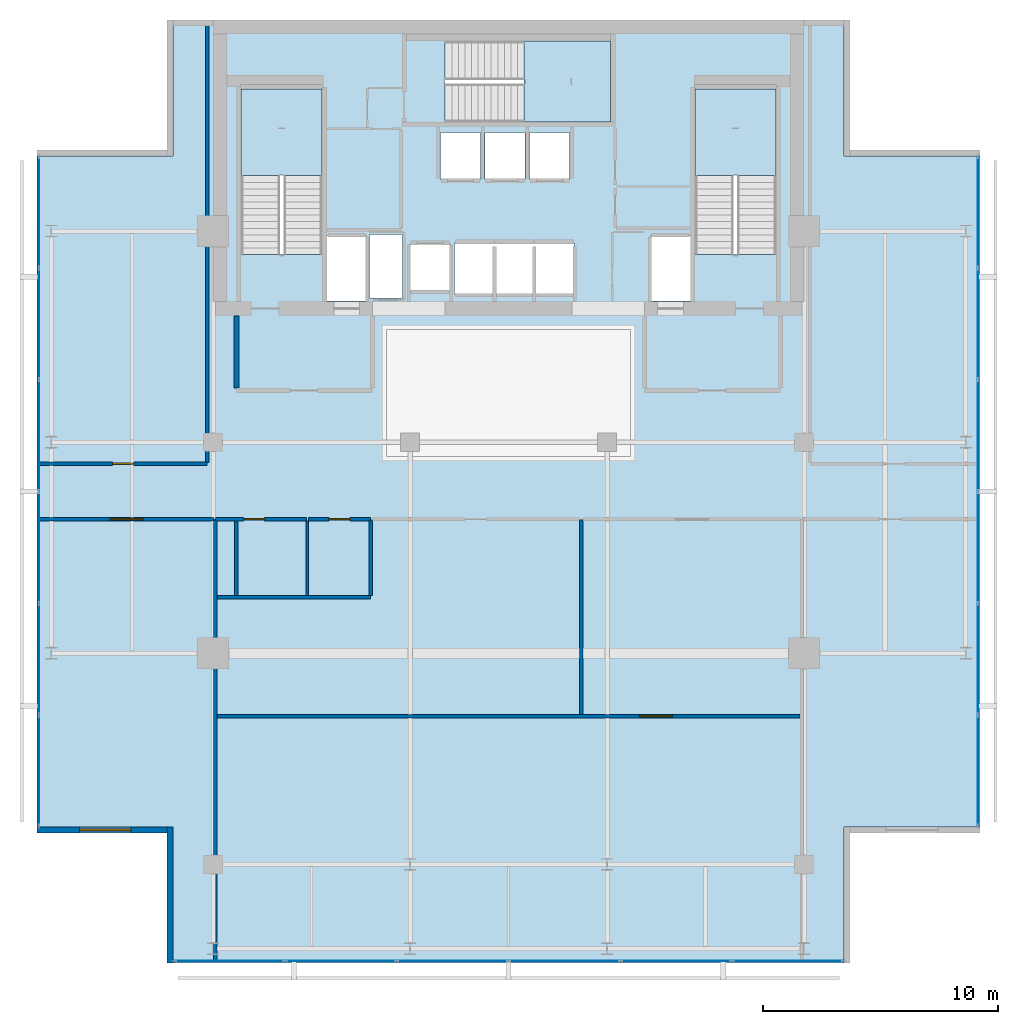
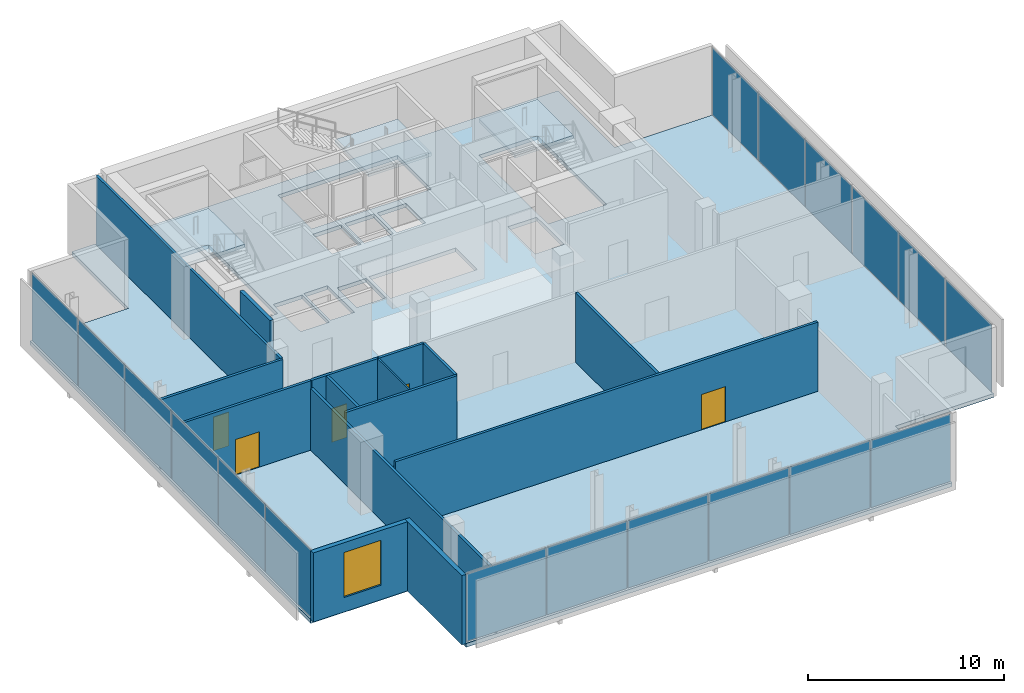
# One storey, part 16 of 23: 18 plates, 15 walls, 5 doors, 4 slabs, 1 window, 6 openings, 6 elements without a shape of their own.
"""IFC4 building model written with IfcOpenShell, lengths in metres."""

from ifc_helpers import new_model, si_unit, direction, frame, frame_2d, origin, origin_2d, place, context, subcontext, project, spatial, polyline, rectangle, outline, extrude, material, layer, layer_set, type_object, element, fill, aggregate, save


model = new_model("IFC4")

# Units and contexts
model_context = context("Model", 3, precision=1e-05, world=origin(), true_north=direction((0.0, 1.0)))
body_context = subcontext(model_context, "Body", "Model", "MODEL_VIEW")
ifc_project = project(units=[si_unit("LENGTHUNIT", "METRE"), si_unit("AREAUNIT", "SQUARE_METRE"), si_unit("VOLUMEUNIT", "CUBIC_METRE"), si_unit("PLANEANGLEUNIT", "RADIAN"), si_unit("MASSUNIT", "GRAM", prefix="KILO")], contexts=[model_context])

# Site, building, storey
site_placement = place(None, origin())
site = spatial("IfcSite", under=ifc_project, at=site_placement, CompositionType="ELEMENT")
building_placement = place(site_placement, origin())
building = spatial("IfcBuilding", under=site, at=building_placement, Name="Maruvema Waterfront Hotel and Observation Tower", CompositionType="ELEMENT")
storey_placement = place(building_placement, frame((0.0, 0.0, 345.10009765625)))
storey = spatial("IfcBuildingStorey", under=building, at=storey_placement, Name="L85", CompositionType="ELEMENT", Elevation=345.10009765625)

# Slab
ifc_material_1 = material(Name="Concrete C50/60", Category="concrete")
ifc_layer_1 = layer(ifc_material_1, 0.239990234375, Name="Reinforced Concrete Floor Slab 240 mm")
ifc_layer_set_1 = layer_set([ifc_layer_1], Name="Concrete C50/60")
slab_type_1 = type_object("IfcSlabType", Name="Reinforced Concrete Floor Slab 240 mm", PredefinedType="FLOOR", material=ifc_layer_set_1)
slab_1_placement = place(storey_placement, frame((0.0, 0.0, -0.239990234375)))
element("IfcSlab", 1, at=slab_1_placement, inside=storey, type_object=slab_type_1, Name="L85 Structural Floor Slab", PredefinedType="FLOOR", context=body_context, shape_type="SweptSolid", body=[
    extrude(outline(polyline([(23.5, 13.800048828125), (52.10009765625, 13.800048828125), (52.10009765625, 19.60009765625), (57.89990234375, 19.60009765625), (57.89990234375, 48.199951171875), (52.10009765625, 48.199951171875), (52.10009765625, 54.0), (23.5, 54.0), (23.5, 48.199951171875), (17.699951171875, 48.199951171875), (17.699951171875, 19.60009765625), (23.5, 19.60009765625), (23.5, 13.800048828125)]), holes=[polyline([(26.39990234375, 44.00048828125), (26.39990234375, 51.050048828125), (29.85009765625, 51.050048828125), (29.85009765625, 44.00048828125), (26.39990234375, 44.00048828125)]), polyline([(30.050048828125, 44.800048828125), (31.75, 44.800048828125), (31.75, 42.02001953125), (30.050048828125, 42.02001953125), (30.050048828125, 44.800048828125)]), polyline([(31.8798828125, 42.139892578125), (31.8798828125, 44.860107421875), (33.280029296875, 44.860107421875), (33.280029296875, 42.139892578125), (31.8798828125, 42.139892578125)]), polyline([(33.60009765625, 44.449951171875), (35.300048828125, 44.449951171875), (35.300048828125, 42.449951171875), (33.60009765625, 42.449951171875), (33.60009765625, 44.449951171875)]), polyline([(34.89990234375, 49.199951171875), (36.60009765625, 49.199951171875), (36.60009765625, 47.199951171875), (34.89990234375, 47.199951171875), (34.89990234375, 49.199951171875)]), polyline([(36.800048828125, 47.199951171875), (36.800048828125, 49.199951171875), (38.5, 49.199951171875), (38.5, 47.199951171875), (36.800048828125, 47.199951171875)]), polyline([(35.5, 42.300048828125), (35.5, 44.5), (40.60009765625, 44.5), (40.60009765625, 42.300048828125), (35.5, 42.300048828125)]), polyline([(35.1005859375, 53.10009765625), (42.14990234375, 53.10009765625), (42.14990234375, 49.64990234375), (35.1005859375, 49.64990234375), (35.1005859375, 53.10009765625)]), polyline([(38.699951171875, 49.199951171875), (40.39990234375, 49.199951171875), (40.39990234375, 47.199951171875), (38.699951171875, 47.199951171875), (38.699951171875, 49.199951171875)]), polyline([(43.85009765625, 44.800048828125), (45.550048828125, 44.800048828125), (45.550048828125, 42.02001953125), (43.85009765625, 42.02001953125), (43.85009765625, 44.800048828125)]), polyline([(45.75, 44.00048828125), (45.75, 51.050048828125), (49.199951171875, 51.050048828125), (49.199951171875, 44.00048828125), (45.75, 44.00048828125)])]), origin(), (0.0, 0.0, 1.0), 0.239990234375),
])

# Curtain wall, plates
ifc_material_2 = material(Name="Anodised bronze aluminium and solar-control low-E IGU", Category="aluminium")
ifc_layer_2 = layer(ifc_material_2, 0.159912109375, Name="Observation Crown Structural Glazed Curtain Wall System CW-06")
ifc_layer_set_2 = layer_set([ifc_layer_2], Name="Anodised bronze aluminium and solar-control low-E IGU")
curtain_wall_type = type_object("IfcCurtainWallType", Name="Observation Crown Structural Glazed Curtain Wall System CW-06", PredefinedType="USERDEFINED", material=ifc_layer_set_2)
curtain_wall_1_placement = place(storey_placement, origin())
curtain_wall_1 = element("IfcCurtainWall", 2, at=curtain_wall_1_placement, inside=storey, type_object=curtain_wall_type, Name="L85 Curtain Wall CW-L85-S", ObjectType="UNITISED CURTAIN WALL", PredefinedType="USERDEFINED")
ifc_material_3 = material(Name="Laminated low-E solar-control double glazing", Category="glass")
ifc_layer_3 = layer(ifc_material_3, 0.035888671875, Name="Solar Control Double-Glazed Curtain Panel 36 mm")
ifc_layer_set_3 = layer_set([ifc_layer_3], Name="Laminated low-E solar-control double glazing")
plate_type = type_object("IfcPlateType", Name="Solar Control Double-Glazed Curtain Panel 36 mm", PredefinedType="CURTAIN_PANEL", material=ifc_layer_set_3)
plate_1_placement = place(storey_placement, frame((25.8984375, 13.8798828125, 0.059814453125), z_axis=(0.0, 0.0, 1.0), x_axis=(1.0, 0.0, 0.0)))
plate_1 = element("IfcPlate", 3, at=plate_1_placement, type_object=plate_type, Name="CW-06 panel 1.1", PredefinedType="CURTAIN_PANEL", context=body_context, shape_type="SweptSolid", body=[
    extrude(rectangle(XDim=4.6767578125, YDim=0.028076171875, at=origin_2d()), origin(), (0.0, 0.0, 1.0), 4.18994140625),
])
plate_2_placement = place(storey_placement, frame((30.64990234375, 13.8798828125, 0.059814453125), z_axis=(0.0, 0.0, 1.0), x_axis=(1.0, 0.0, 0.0)))
plate_2 = element("IfcPlate", 4, at=plate_2_placement, type_object=plate_type, Name="CW-06 panel 2.1", PredefinedType="CURTAIN_PANEL", context=body_context, shape_type="SweptSolid", body=[
    extrude(rectangle(XDim=4.706787109375, YDim=0.028076171875, at=origin_2d()), origin(), (0.0, 0.0, 1.0), 4.18994140625),
])
plate_3_placement = place(storey_placement, frame((35.416748046875, 13.8798828125, 0.059814453125), z_axis=(0.0, 0.0, 1.0), x_axis=(1.0, 0.0, 0.0)))
plate_3 = element("IfcPlate", 5, at=plate_3_placement, type_object=plate_type, Name="CW-06 panel 3.1", PredefinedType="CURTAIN_PANEL", context=body_context, shape_type="SweptSolid", body=[
    extrude(rectangle(XDim=4.706787109375, YDim=0.028076171875, at=origin_2d()), origin(), (0.0, 0.0, 1.0), 4.18994140625),
])
plate_4_placement = place(storey_placement, frame((40.183349609375, 13.8798828125, 0.059814453125), z_axis=(0.0, 0.0, 1.0), x_axis=(1.0, 0.0, 0.0)))
plate_4 = element("IfcPlate", 6, at=plate_4_placement, type_object=plate_type, Name="CW-06 panel 4.1", PredefinedType="CURTAIN_PANEL", context=body_context, shape_type="SweptSolid", body=[
    extrude(rectangle(XDim=4.706787109375, YDim=0.028076171875, at=origin_2d()), origin(), (0.0, 0.0, 1.0), 4.18994140625),
])
plate_5_placement = place(storey_placement, frame((44.949951171875, 13.8798828125, 0.059814453125), z_axis=(0.0, 0.0, 1.0), x_axis=(1.0, 0.0, 0.0)))
plate_5 = element("IfcPlate", 7, at=plate_5_placement, type_object=plate_type, Name="CW-06 panel 5.1", PredefinedType="CURTAIN_PANEL", context=body_context, shape_type="SweptSolid", body=[
    extrude(rectangle(XDim=4.706787109375, YDim=0.028076171875, at=origin_2d()), origin(), (0.0, 0.0, 1.0), 4.18994140625),
])
plate_6_placement = place(storey_placement, frame((49.70166015625, 13.8798828125, 0.059814453125), z_axis=(0.0, 0.0, 1.0), x_axis=(1.0, 0.0, 0.0)))
plate_6 = element("IfcPlate", 8, at=plate_6_placement, type_object=plate_type, Name="CW-06 panel 6.1", PredefinedType="CURTAIN_PANEL", context=body_context, shape_type="SweptSolid", body=[
    extrude(rectangle(XDim=4.6767578125, YDim=0.028076171875, at=origin_2d()), origin(), (0.0, 0.0, 1.0), 4.18994140625),
])
aggregate(curtain_wall_1, [plate_1, plate_2, plate_3, plate_4, plate_5, plate_6])

curtain_wall_2_placement = place(storey_placement, origin())
curtain_wall_2 = element("IfcCurtainWall", 9, at=curtain_wall_2_placement, inside=storey, type_object=curtain_wall_type, Name="L85 Curtain Wall CW-L85-E", ObjectType="UNITISED CURTAIN WALL", PredefinedType="USERDEFINED")
plate_7_placement = place(storey_placement, frame((57.820068359375, 21.998291015625, 0.059814453125), z_axis=(0.0, 0.0, 1.0), x_axis=(0.0, 1.0, 0.0)))
plate_7 = element("IfcPlate", 10, at=plate_7_placement, type_object=plate_type, Name="CW-06 panel 1.1", PredefinedType="CURTAIN_PANEL", context=body_context, shape_type="SweptSolid", body=[
    extrude(rectangle(XDim=4.6767578125, YDim=0.028076171875, at=origin_2d()), origin(), (0.0, 0.0, 1.0), 4.18994140625),
])
plate_8_placement = place(storey_placement, frame((57.820068359375, 26.75, 0.059814453125), z_axis=(0.0, 0.0, 1.0), x_axis=(0.0, 1.0, 0.0)))
plate_8 = element("IfcPlate", 11, at=plate_8_placement, type_object=plate_type, Name="CW-06 panel 2.1", PredefinedType="CURTAIN_PANEL", context=body_context, shape_type="SweptSolid", body=[
    extrude(rectangle(XDim=4.706787109375, YDim=0.028076171875, at=origin_2d()), origin(), (0.0, 0.0, 1.0), 4.18994140625),
])
plate_9_placement = place(storey_placement, frame((57.820068359375, 31.5166015625, 0.059814453125), z_axis=(0.0, 0.0, 1.0), x_axis=(0.0, 1.0, 0.0)))
plate_9 = element("IfcPlate", 12, at=plate_9_placement, type_object=plate_type, Name="CW-06 panel 3.1", PredefinedType="CURTAIN_PANEL", context=body_context, shape_type="SweptSolid", body=[
    extrude(rectangle(XDim=4.706787109375, YDim=0.028076171875, at=origin_2d()), origin(), (0.0, 0.0, 1.0), 4.18994140625),
])
plate_10_placement = place(storey_placement, frame((57.820068359375, 36.283447265625, 0.059814453125), z_axis=(0.0, 0.0, 1.0), x_axis=(0.0, 1.0, 0.0)))
plate_10 = element("IfcPlate", 13, at=plate_10_placement, type_object=plate_type, Name="CW-06 panel 4.1", PredefinedType="CURTAIN_PANEL", context=body_context, shape_type="SweptSolid", body=[
    extrude(rectangle(XDim=4.706787109375, YDim=0.028076171875, at=origin_2d()), origin(), (0.0, 0.0, 1.0), 4.18994140625),
])
plate_11_placement = place(storey_placement, frame((57.820068359375, 41.050048828125, 0.059814453125), z_axis=(0.0, 0.0, 1.0), x_axis=(0.0, 1.0, 0.0)))
plate_11 = element("IfcPlate", 14, at=plate_11_placement, type_object=plate_type, Name="CW-06 panel 5.1", PredefinedType="CURTAIN_PANEL", context=body_context, shape_type="SweptSolid", body=[
    extrude(rectangle(XDim=4.706787109375, YDim=0.028076171875, at=origin_2d()), origin(), (0.0, 0.0, 1.0), 4.18994140625),
])
plate_12_placement = place(storey_placement, frame((57.820068359375, 45.8017578125, 0.059814453125), z_axis=(0.0, 0.0, 1.0), x_axis=(0.0, 1.0, 0.0)))
plate_12 = element("IfcPlate", 15, at=plate_12_placement, type_object=plate_type, Name="CW-06 panel 6.1", PredefinedType="CURTAIN_PANEL", context=body_context, shape_type="SweptSolid", body=[
    extrude(rectangle(XDim=4.6767578125, YDim=0.028076171875, at=origin_2d()), origin(), (0.0, 0.0, 1.0), 4.18994140625),
])
aggregate(curtain_wall_2, [plate_7, plate_8, plate_9, plate_10, plate_11, plate_12])

curtain_wall_3_placement = place(storey_placement, origin())
curtain_wall_3 = element("IfcCurtainWall", 16, at=curtain_wall_3_placement, inside=storey, type_object=curtain_wall_type, Name="L85 Curtain Wall CW-L85-W", ObjectType="UNITISED CURTAIN WALL", PredefinedType="USERDEFINED")
plate_13_placement = place(storey_placement, frame((17.780029296875, 45.8017578125, 0.059814453125), z_axis=(0.0, 0.0, 1.0), x_axis=(0.0, -1.0, 0.0)))
plate_13 = element("IfcPlate", 17, at=plate_13_placement, type_object=plate_type, Name="CW-06 panel 1.1", PredefinedType="CURTAIN_PANEL", context=body_context, shape_type="SweptSolid", body=[
    extrude(rectangle(XDim=4.6767578125, YDim=0.028076171875, at=origin_2d()), origin(), (0.0, 0.0, 1.0), 4.18994140625),
])
plate_14_placement = place(storey_placement, frame((17.780029296875, 41.050048828125, 0.059814453125), z_axis=(0.0, 0.0, 1.0), x_axis=(0.0, -1.0, 0.0)))
plate_14 = element("IfcPlate", 18, at=plate_14_placement, type_object=plate_type, Name="CW-06 panel 2.1", PredefinedType="CURTAIN_PANEL", context=body_context, shape_type="SweptSolid", body=[
    extrude(rectangle(XDim=4.706787109375, YDim=0.028076171875, at=origin_2d()), origin(), (0.0, 0.0, 1.0), 4.18994140625),
])
plate_15_placement = place(storey_placement, frame((17.780029296875, 36.283447265625, 0.059814453125), z_axis=(0.0, 0.0, 1.0), x_axis=(0.0, -1.0, 0.0)))
plate_15 = element("IfcPlate", 19, at=plate_15_placement, type_object=plate_type, Name="CW-06 panel 3.1", PredefinedType="CURTAIN_PANEL", context=body_context, shape_type="SweptSolid", body=[
    extrude(rectangle(XDim=4.706787109375, YDim=0.028076171875, at=origin_2d()), origin(), (0.0, 0.0, 1.0), 4.18994140625),
])
plate_16_placement = place(storey_placement, frame((17.780029296875, 31.5166015625, 0.059814453125), z_axis=(0.0, 0.0, 1.0), x_axis=(0.0, -1.0, 0.0)))
plate_16 = element("IfcPlate", 20, at=plate_16_placement, type_object=plate_type, Name="CW-06 panel 4.1", PredefinedType="CURTAIN_PANEL", context=body_context, shape_type="SweptSolid", body=[
    extrude(rectangle(XDim=4.706787109375, YDim=0.028076171875, at=origin_2d()), origin(), (0.0, 0.0, 1.0), 4.18994140625),
])
plate_17_placement = place(storey_placement, frame((17.780029296875, 26.75, 0.059814453125), z_axis=(0.0, 0.0, 1.0), x_axis=(0.0, -1.0, 0.0)))
plate_17 = element("IfcPlate", 21, at=plate_17_placement, type_object=plate_type, Name="CW-06 panel 5.1", PredefinedType="CURTAIN_PANEL", context=body_context, shape_type="SweptSolid", body=[
    extrude(rectangle(XDim=4.706787109375, YDim=0.028076171875, at=origin_2d()), origin(), (0.0, 0.0, 1.0), 4.18994140625),
])
plate_18_placement = place(storey_placement, frame((17.780029296875, 21.998291015625, 0.059814453125), z_axis=(0.0, 0.0, 1.0), x_axis=(0.0, -1.0, 0.0)))
plate_18 = element("IfcPlate", 22, at=plate_18_placement, type_object=plate_type, Name="CW-06 panel 6.1", PredefinedType="CURTAIN_PANEL", context=body_context, shape_type="SweptSolid", body=[
    extrude(rectangle(XDim=4.6767578125, YDim=0.028076171875, at=origin_2d()), origin(), (0.0, 0.0, 1.0), 4.18994140625),
])
aggregate(curtain_wall_3, [plate_13, plate_14, plate_15, plate_16, plate_17, plate_18])

# Stair, slab
ifc_material_4 = material(Name="Concrete C50/60", Category="concrete")
stair_type = type_object("IfcStairType", Name="Dogleg Exit Stair 1650 mm (26R x 175.0 mm)", PredefinedType="HALF_TURN_STAIR", material=ifc_material_4)
stair_1_placement = place(storey_placement, origin())
stair_1 = element("IfcStair", 23, at=stair_1_placement, inside=storey, type_object=stair_type, Name="L85 ST-01", PredefinedType="HALF_TURN_STAIR")
ifc_material_5 = material(Name="Concrete C50/60", Category="concrete")
ifc_layer_4 = layer(ifc_material_5, 0.219970703125, Name="Stair Concrete Landing Slab 220 mm")
ifc_layer_set_4 = layer_set([ifc_layer_4], Name="Concrete C50/60")
slab_type_2 = type_object("IfcSlabType", Name="Stair Concrete Landing Slab 220 mm", PredefinedType="LANDING", material=ifc_layer_set_4)
slab_2_placement = place(storey_placement, frame((0.0, 0.0, 2.054931640625)))
slab_2 = element("IfcSlab", 24, at=slab_2_placement, type_object=slab_type_2, Name="ST-01 landing 1", PredefinedType="LANDING", context=body_context, shape_type="SweptSolid", body=[
    extrude(outline(polyline([(29.85009765625, 47.360107421875), (29.85009765625, 51.050048828125), (26.39990234375, 51.050048828125), (26.39990234375, 47.360107421875), (29.85009765625, 47.360107421875)])), origin(), (0.0, 0.0, 1.0), 0.219970703125),
])
aggregate(stair_1, [slab_2])

stair_2_placement = place(storey_placement, origin())
stair_2 = element("IfcStair", 25, at=stair_2_placement, inside=storey, type_object=stair_type, Name="L85 ST-02", PredefinedType="HALF_TURN_STAIR")
slab_3_placement = place(storey_placement, frame((0.0, 0.0, 2.054931640625)))
slab_3 = element("IfcSlab", 26, at=slab_3_placement, type_object=slab_type_2, Name="ST-02 landing 1", PredefinedType="LANDING", context=body_context, shape_type="SweptSolid", body=[
    extrude(outline(polyline([(38.4599609375, 49.64990234375), (42.14990234375, 49.64990234375), (42.14990234375, 53.10009765625), (38.4599609375, 53.10009765625), (38.4599609375, 49.64990234375)])), origin(), (0.0, 0.0, 1.0), 0.219970703125),
])
aggregate(stair_2, [slab_3])

stair_3_placement = place(storey_placement, origin())
stair_3 = element("IfcStair", 27, at=stair_3_placement, inside=storey, type_object=stair_type, Name="L85 ST-03", PredefinedType="HALF_TURN_STAIR")
slab_4_placement = place(storey_placement, frame((0.0, 0.0, 2.054931640625)))
slab_4 = element("IfcSlab", 28, at=slab_4_placement, type_object=slab_type_2, Name="ST-03 landing 1", PredefinedType="LANDING", context=body_context, shape_type="SweptSolid", body=[
    extrude(outline(polyline([(49.199951171875, 47.360107421875), (49.199951171875, 51.050048828125), (45.75, 51.050048828125), (45.75, 47.360107421875), (49.199951171875, 47.360107421875)])), origin(), (0.0, 0.0, 1.0), 0.219970703125),
])
aggregate(stair_3, [slab_4])

# Wall, opening, door
ifc_material_6 = material(Name="Twin-stud acoustic gypsum drywall", Category="gypsum")
ifc_layer_5 = layer(ifc_material_6, 0.14990234375, Name="Acoustic Corridor and Suite Demising Wall 150 mm")
ifc_layer_set_5 = layer_set([ifc_layer_5], Name="Twin-stud acoustic gypsum drywall")
wall_type_1 = type_object("IfcWallType", Name="Acoustic Corridor and Suite Demising Wall 150 mm", PredefinedType="PARTITIONING", material=ifc_layer_set_5)
wall_1_placement = place(storey_placement, frame((25.300048828125, 32.719970703125, 0.0), z_axis=(0.0, 0.0, 1.0), x_axis=(1.0, 0.0, 0.0)))
wall_1 = element("IfcWall", 29, at=wall_1_placement, inside=storey, type_object=wall_type_1, Name="L85 L85 Public WC North 021", PredefinedType="PARTITIONING", context=body_context, shape_type="SweptSolid", body=[
    extrude(rectangle(XDim=3.8798828125, YDim=0.14990234375, at=frame_2d((1.93994140625, 0.0))), origin(), (0.0, 0.0, 1.0), 4.309814453125),
])
opening_1_placement = place(wall_1_placement, frame((1.199951171875, 0.0, 0.0)))
opening_1 = element("IfcOpeningElement", 30, at=opening_1_placement, cuts=wall_1, Name="Opening DR-090", PredefinedType="OPENING", context=body_context, shape_type="SweptSolid", body=[
    extrude(rectangle(XDim=0.89990234375, YDim=2.10009765625, at=frame_2d((0.449951171875, 1.050048828125))), frame((0.0, 0.0849609375, 0.0), z_axis=(0.0, -1.0, 0.0), x_axis=(1.0, 0.0, 0.0)), (0.0, 0.0, 1.0), 0.169921875),
])
ifc_material_7 = material(Name="Solid-core lacquered timber leaf", Category="wood")
door_type_1 = type_object("IfcDoorType", Name="Accessible Toilet and Room Door 900x2100 mm", OperationType="NOTDEFINED", PredefinedType="DOOR", material=ifc_material_7)
door_1_placement = place(opening_1_placement, origin())
door_1 = element("IfcDoor", 31, at=door_1_placement, inside=storey, type_object=door_type_1, Name="L85 Public Toilet Door", OperationType="SINGLE_SWING_RIGHT", OverallHeight=2.10009765625, OverallWidth=0.89990234375, PredefinedType="DOOR", context=body_context, shape_type="SweptSolid", body=[
    extrude(rectangle(XDim=0.89990234375, YDim=2.10009765625, at=frame_2d((0.449951171875, 1.050048828125))), frame((0.0, 0.02490234375, 0.0), z_axis=(0.0, -1.0, 0.0), x_axis=(1.0, 0.0, 0.0)), (0.0, 0.0, 1.0), 0.050048828125),
])
fill(opening_1, door_1)

wall_2_placement = place(storey_placement, frame((29.260009765625, 32.719970703125, 0.0), z_axis=(0.0, 0.0, 1.0), x_axis=(1.0, 0.0, 0.0)))
wall_2 = element("IfcWall", 32, at=wall_2_placement, inside=storey, type_object=wall_type_1, Name="L85 L85 Acc WC North 022", PredefinedType="PARTITIONING", context=body_context, shape_type="SweptSolid", body=[
    extrude(rectangle(XDim=2.659912109375, YDim=0.14990234375, at=frame_2d((1.330078125, 0.0))), origin(), (0.0, 0.0, 1.0), 4.309814453125),
])
opening_2_placement = place(wall_2_placement, frame((0.8798828125, 0.0, 0.0)))
opening_2 = element("IfcOpeningElement", 33, at=opening_2_placement, cuts=wall_2, Name="Opening DR-090", PredefinedType="OPENING", context=body_context, shape_type="SweptSolid", body=[
    extrude(rectangle(XDim=0.89990234375, YDim=2.10009765625, at=frame_2d((0.449951171875, 1.050048828125))), frame((0.0, 0.0849609375, 0.0), z_axis=(0.0, -1.0, 0.0), x_axis=(1.0, 0.0, 0.0)), (0.0, 0.0, 1.0), 0.169921875),
])
door_2_placement = place(opening_2_placement, origin())
door_2 = element("IfcDoor", 34, at=door_2_placement, inside=storey, type_object=door_type_1, Name="L85 Accessible WC Door", OperationType="SINGLE_SWING_LEFT", OverallHeight=2.10009765625, OverallWidth=0.89990234375, PredefinedType="DOOR", context=body_context, shape_type="SweptSolid", body=[
    extrude(rectangle(XDim=0.89990234375, YDim=2.10009765625, at=frame_2d((0.449951171875, 1.050048828125))), frame((0.0, 0.02490234375, 0.0), z_axis=(0.0, -1.0, 0.0), x_axis=(1.0, 0.0, 0.0)), (0.0, 0.0, 1.0), 0.050048828125),
])
fill(opening_2, door_2)

# Walls
wall_3_placement = place(storey_placement, frame((25.3798828125, 29.3798828125, 0.0), z_axis=(0.0, 0.0, 1.0), x_axis=(1.0, 0.0, 0.0)))
element("IfcWall", 35, at=wall_3_placement, inside=storey, type_object=wall_type_1, Name="L85 L85 WC South 023", PredefinedType="PARTITIONING", context=body_context, shape_type="SweptSolid", body=[
    extrude(rectangle(XDim=6.5400390625, YDim=0.14990234375, at=frame_2d((3.27001953125, 0.0))), origin(), (0.0, 0.0, 1.0), 4.309814453125),
])
wall_4_placement = place(storey_placement, frame((26.199951171875, 29.4599609375, 0.0), z_axis=(0.0, 0.0, 1.0), x_axis=(0.0, 1.0, 0.0)))
element("IfcWall", 36, at=wall_4_placement, inside=storey, type_object=wall_type_1, Name="L85 L85 WC West 024", PredefinedType="PARTITIONING", context=body_context, shape_type="SweptSolid", body=[
    extrude(rectangle(XDim=3.179931640625, YDim=0.14990234375, at=frame_2d((1.58984375, 0.0))), origin(), (0.0, 0.0, 1.0), 4.309814453125),
])
wall_5_placement = place(storey_placement, frame((31.919921875, 29.4599609375, 0.0), z_axis=(0.0, 0.0, 1.0), x_axis=(0.0, 1.0, 0.0)))
element("IfcWall", 37, at=wall_5_placement, inside=storey, type_object=wall_type_1, Name="L85 L85 WC East 026", PredefinedType="PARTITIONING", context=body_context, shape_type="SweptSolid", body=[
    extrude(rectangle(XDim=3.219970703125, YDim=0.14990234375, at=frame_2d((1.60986328125, 0.0))), origin(), (0.0, 0.0, 1.0), 4.309814453125),
])

# Wall, opening, door
wall_6_placement = place(storey_placement, frame((25.3798828125, 24.320068359375, 0.0), z_axis=(0.0, 0.0, 1.0), x_axis=(1.0, 0.0, 0.0)))
wall_6 = element("IfcWall", 38, at=wall_6_placement, inside=storey, type_object=wall_type_1, Name="L85 L85 Restaurant North 027", PredefinedType="PARTITIONING", context=body_context, shape_type="SweptSolid", body=[
    extrude(rectangle(XDim=24.840087890625, YDim=0.14990234375, at=frame_2d((12.419921875, 0.0))), origin(), (0.0, 0.0, 1.0), 4.309814453125),
])
opening_3_placement = place(wall_6_placement, frame((18.0, 0.0, 0.0)))
opening_3 = element("IfcOpeningElement", 39, at=opening_3_placement, cuts=wall_6, Name="Opening DR-140", PredefinedType="OPENING", context=body_context, shape_type="SweptSolid", body=[
    extrude(rectangle(XDim=1.39990234375, YDim=2.199951171875, at=frame_2d((0.699951171875, 1.10009765625))), frame((0.0, 0.0849609375, 0.0), z_axis=(0.0, -1.0, 0.0), x_axis=(1.0, 0.0, 0.0)), (0.0, 0.0, 1.0), 0.169921875),
])
ifc_material_8 = material(Name="Anodised bronze framed acoustic glass leaf", Category="glass")
door_type_2 = type_object("IfcDoorType", Name="Conference and Restaurant Double Door 1400x2200 mm", OperationType="DOUBLE_DOOR_SINGLE_SWING", PredefinedType="DOOR", material=ifc_material_8)
door_3_placement = place(opening_3_placement, origin())
door_3 = element("IfcDoor", 40, at=door_3_placement, inside=storey, type_object=door_type_2, Name="L85 Sky Restaurant Door", OperationType="DOUBLE_DOOR_SINGLE_SWING", OverallHeight=2.199951171875, OverallWidth=1.39990234375, PredefinedType="DOOR", context=body_context, shape_type="SweptSolid", body=[
    extrude(rectangle(XDim=1.39990234375, YDim=2.199951171875, at=frame_2d((0.699951171875, 1.10009765625))), frame((0.0, 0.02490234375, 0.0), z_axis=(0.0, -1.0, 0.0), x_axis=(1.0, 0.0, 0.0)), (0.0, 0.0, 1.0), 0.050048828125),
])
fill(opening_3, door_3)

# Walls
wall_7_placement = place(storey_placement, frame((40.89990234375, 24.39990234375, 0.0), z_axis=(0.0, 0.0, 1.0), x_axis=(0.0, 1.0, 0.0)))
element("IfcWall", 41, at=wall_7_placement, inside=storey, type_object=wall_type_1, Name="L85 L85 Tasting Split 028", PredefinedType="PARTITIONING", context=body_context, shape_type="SweptSolid", body=[
    extrude(rectangle(XDim=8.280029296875, YDim=0.14990234375, at=frame_2d((4.14013671875, 0.0))), origin(), (0.0, 0.0, 1.0), 4.309814453125),
])
wall_8_placement = place(storey_placement, frame((25.300048828125, 13.8798828125, 0.0), z_axis=(0.0, 0.0, 1.0), x_axis=(0.0, 1.0, 0.0)))
element("IfcWall", 42, at=wall_8_placement, inside=storey, type_object=wall_type_1, Name="L85 L85 West Spine 029", PredefinedType="PARTITIONING", context=body_context, shape_type="SweptSolid", body=[
    extrude(rectangle(XDim=18.840087890625, YDim=0.14990234375, at=frame_2d((9.419921875, 0.0))), origin(), (0.0, 0.0, 1.0), 3.8408203125),
])

# Wall, opening, door
wall_9_placement = place(storey_placement, frame((17.780029296875, 32.719970703125, 0.0), z_axis=(0.0, 0.0, 1.0), x_axis=(1.0, 0.0, 0.0)))
wall_9 = element("IfcWall", 43, at=wall_9_placement, inside=storey, type_object=wall_type_1, Name="L85 L85 Private Dining North 031", PredefinedType="PARTITIONING", context=body_context, shape_type="SweptSolid", body=[
    extrude(rectangle(XDim=7.469970703125, YDim=0.14990234375, at=frame_2d((3.73486328125, 0.0))), origin(), (0.0, 0.0, 1.0), 4.309814453125),
])
opening_4_placement = place(wall_9_placement, frame((3.034912109375, 0.0, 0.0)))
opening_4 = element("IfcOpeningElement", 44, at=opening_4_placement, cuts=wall_9, Name="Opening DR-140", PredefinedType="OPENING", context=body_context, shape_type="SweptSolid", body=[
    extrude(rectangle(XDim=1.39990234375, YDim=2.199951171875, at=frame_2d((0.699951171875, 1.10009765625))), frame((0.0, 0.0849609375, 0.0), z_axis=(0.0, -1.0, 0.0), x_axis=(1.0, 0.0, 0.0)), (0.0, 0.0, 1.0), 0.169921875),
])
door_4_placement = place(opening_4_placement, origin())
door_4 = element("IfcDoor", 45, at=door_4_placement, inside=storey, type_object=door_type_2, Name="L85 Private Dining Door", OperationType="DOUBLE_DOOR_SINGLE_SWING", OverallHeight=2.199951171875, OverallWidth=1.39990234375, PredefinedType="DOOR", context=body_context, shape_type="SweptSolid", body=[
    extrude(rectangle(XDim=1.39990234375, YDim=2.199951171875, at=frame_2d((0.699951171875, 1.10009765625))), frame((0.0, 0.02490234375, 0.0), z_axis=(0.0, -1.0, 0.0), x_axis=(1.0, 0.0, 0.0)), (0.0, 0.0, 1.0), 0.050048828125),
])
fill(opening_4, door_4)

wall_10_placement = place(storey_placement, frame((17.780029296875, 35.080078125, 0.0), z_axis=(0.0, 0.0, 1.0), x_axis=(1.0, 0.0, 0.0)))
wall_10 = element("IfcWall", 46, at=wall_10_placement, inside=storey, type_object=wall_type_1, Name="L85 L85 Banquet South 035", PredefinedType="PARTITIONING", context=body_context, shape_type="SweptSolid", body=[
    extrude(rectangle(XDim=7.169921875, YDim=0.14990234375, at=frame_2d((3.5849609375, 0.0))), origin(), (0.0, 0.0, 1.0), 4.309814453125),
])
opening_5_placement = place(wall_10_placement, frame((3.135009765625, 0.0, 0.0)))
opening_5 = element("IfcOpeningElement", 47, at=opening_5_placement, cuts=wall_10, Name="Opening DR-090", PredefinedType="OPENING", context=body_context, shape_type="SweptSolid", body=[
    extrude(rectangle(XDim=0.89990234375, YDim=2.10009765625, at=frame_2d((0.449951171875, 1.050048828125))), frame((0.0, 0.0849609375, 0.0), z_axis=(0.0, -1.0, 0.0), x_axis=(1.0, 0.0, 0.0)), (0.0, 0.0, 1.0), 0.169921875),
])
door_5_placement = place(opening_5_placement, frame((0.89990234375, 0.0, 0.0), z_axis=(0.0, 0.0, 1.0), x_axis=(-1.0, 0.0, 0.0)))
door_5 = element("IfcDoor", 48, at=door_5_placement, inside=storey, type_object=door_type_1, Name="L85 Harbour Banquet Door", OperationType="SINGLE_SWING_RIGHT", OverallHeight=2.10009765625, OverallWidth=0.89990234375, PredefinedType="DOOR", context=body_context, shape_type="SweptSolid", body=[
    extrude(rectangle(XDim=0.89990234375, YDim=2.10009765625, at=frame_2d((0.449951171875, 1.050048828125))), frame((0.0, 0.02490234375, 0.0), z_axis=(0.0, -1.0, 0.0), x_axis=(1.0, 0.0, 0.0)), (0.0, 0.0, 1.0), 0.050048828125),
])
fill(opening_5, door_5)

# Walls
wall_11_placement = place(storey_placement, frame((24.949951171875, 35.139892578125, 0.0), z_axis=(0.0, 0.0, 1.0), x_axis=(0.0, 1.0, 0.0)))
element("IfcWall", 49, at=wall_11_placement, inside=storey, type_object=wall_type_1, Name="L85 L85 Banquet East 036", PredefinedType="PARTITIONING", context=body_context, shape_type="SweptSolid", body=[
    extrude(rectangle(XDim=18.780029296875, YDim=0.14990234375, at=frame_2d((9.39013671875, 0.0))), origin(), (0.0, 0.0, 1.0), 4.309814453125),
])
ifc_material_9 = material(Name="Moisture-resistant cement-board drywall", Category="gypsum")
ifc_layer_6 = layer(ifc_material_9, 0.10009765625, Name="En-Suite Moisture-Resistant Partition 100 mm")
ifc_layer_set_6 = layer_set([ifc_layer_6], Name="Moisture-resistant cement-board drywall")
wall_type_2 = type_object("IfcWallType", Name="En-Suite Moisture-Resistant Partition 100 mm", PredefinedType="PARTITIONING", material=ifc_layer_set_6)
wall_12_placement = place(storey_placement, frame((29.219970703125, 29.4599609375, 0.0), z_axis=(0.0, 0.0, 1.0), x_axis=(0.0, 1.0, 0.0)))
element("IfcWall", 50, at=wall_12_placement, inside=storey, type_object=wall_type_2, Name="L85 L85 WC Split 025", PredefinedType="PARTITIONING", context=body_context, shape_type="SweptSolid", body=[
    extrude(rectangle(XDim=3.179931640625, YDim=0.10009765625, at=frame_2d((1.58984375, 0.0))), origin(), (0.0, 0.0, 1.0), 4.309814453125),
])
ifc_material_10 = material(Name="Precast concrete C45/55 with honed Pernambuco granite facing", Category="masonry")
ifc_layer_7 = layer(ifc_material_10, 0.260009765625, Name="Exterior Granite Clad Spandrel and Pier Wall 260 mm")
ifc_layer_set_7 = layer_set([ifc_layer_7], Name="Precast concrete C45/55 with honed Pernambuco granite facing")
wall_type_3 = type_object("IfcWallType", Name="Exterior Granite Clad Spandrel and Pier Wall 260 mm", PredefinedType="SOLIDWALL", material=ifc_layer_set_7)
wall_13_placement = place(storey_placement, frame((23.3701171875, 13.800048828125, 0.0), z_axis=(0.0, 0.0, 1.0), x_axis=(0.0, 1.0, 0.0)))
element("IfcWall", 51, at=wall_13_placement, inside=storey, type_object=wall_type_3, Name="L85 Corner Notch Granite Pier Wall SW1", PredefinedType="SOLIDWALL", context=body_context, shape_type="SweptSolid", body=[
    extrude(rectangle(XDim=5.800048828125, YDim=0.260009765625, at=frame_2d((2.89990234375, 0.0))), origin(), (0.0, 0.0, 1.0), 4.309814453125),
])

# Wall, opening, window
wall_14_placement = place(storey_placement, frame((23.5, 19.469970703125, 0.0), z_axis=(0.0, 0.0, 1.0), x_axis=(-1.0, 0.0, 0.0)))
wall_14 = element("IfcWall", 52, at=wall_14_placement, inside=storey, type_object=wall_type_3, Name="L85 Corner Notch Granite Pier Wall SW2", PredefinedType="SOLIDWALL", context=body_context, shape_type="SweptSolid", body=[
    extrude(rectangle(XDim=5.800048828125, YDim=0.260009765625, at=frame_2d((2.89990234375, 0.0))), origin(), (0.0, 0.0, 1.0), 4.309814453125),
])
opening_6_placement = place(wall_14_placement, frame((1.800048828125, 0.0, 0.89990234375)))
opening_6 = element("IfcOpeningElement", 53, at=opening_6_placement, cuts=wall_14, Name="Opening WN-05", PredefinedType="OPENING", context=body_context, shape_type="SweptSolid", body=[
    extrude(rectangle(XDim=2.199951171875, YDim=2.800048828125, at=frame_2d((1.10009765625, 1.39990234375))), frame((0.0, 0.14013671875, 0.0), z_axis=(0.0, -1.0, 0.0), x_axis=(1.0, 0.0, 0.0)), (0.0, 0.0, 1.0), 0.280029296875),
])
ifc_material_11 = material(Name="Anodised bronze aluminium frame with laminated low-E glass", Category="aluminium")
window_type = type_object("IfcWindowType", Name="Crown Gallery Observation Window 2200x2800 mm", PartitioningType="SINGLE_PANEL", PredefinedType="WINDOW", material=ifc_material_11)
window_placement = place(opening_6_placement, origin())
window = element("IfcWindow", 54, at=window_placement, inside=storey, type_object=window_type, Name="L85 Corner Notch Punched Window SW2", OverallHeight=2.800048828125, OverallWidth=2.199951171875, PartitioningType="SINGLE_PANEL", PredefinedType="WINDOW", context=body_context, shape_type="SweptSolid", body=[
    extrude(rectangle(XDim=2.199951171875, YDim=2.800048828125, at=frame_2d((1.10009765625, 1.39990234375))), frame((0.0, 0.030029296875, 0.0), z_axis=(0.0, -1.0, 0.0), x_axis=(1.0, 0.0, 0.0)), (0.0, 0.0, 1.0), 0.06005859375),
])
fill(opening_6, window)

# Wall
ifc_material_12 = material(Name="Autoclaved cellular concrete blockwork", Category="masonry")
ifc_layer_8 = layer(ifc_material_12, 0.199951171875, Name="Fire Compartment Masonry Wall 200 mm")
ifc_layer_set_8 = layer_set([ifc_layer_8], Name="Autoclaved cellular concrete blockwork")
wall_type_4 = type_object("IfcWallType", Name="Fire Compartment Masonry Wall 200 mm", PredefinedType="PARTITIONING", material=ifc_layer_set_8)
wall_15_placement = place(storey_placement, frame((26.199951171875, 38.31005859375, 0.0), z_axis=(0.0, 0.0, 1.0), x_axis=(0.0, 1.0, 0.0)))
element("IfcWall", 55, at=wall_15_placement, inside=storey, type_object=wall_type_4, Name="L85 FFL West West Wall 002", PredefinedType="PARTITIONING", context=body_context, shape_type="SweptSolid", body=[
    extrude(rectangle(XDim=3.06982421875, YDim=0.199951171875, at=frame_2d((1.534912109375, 0.0))), origin(), (0.0, 0.0, 1.0), 4.309814453125),
])

save(model, "model.ifc")
